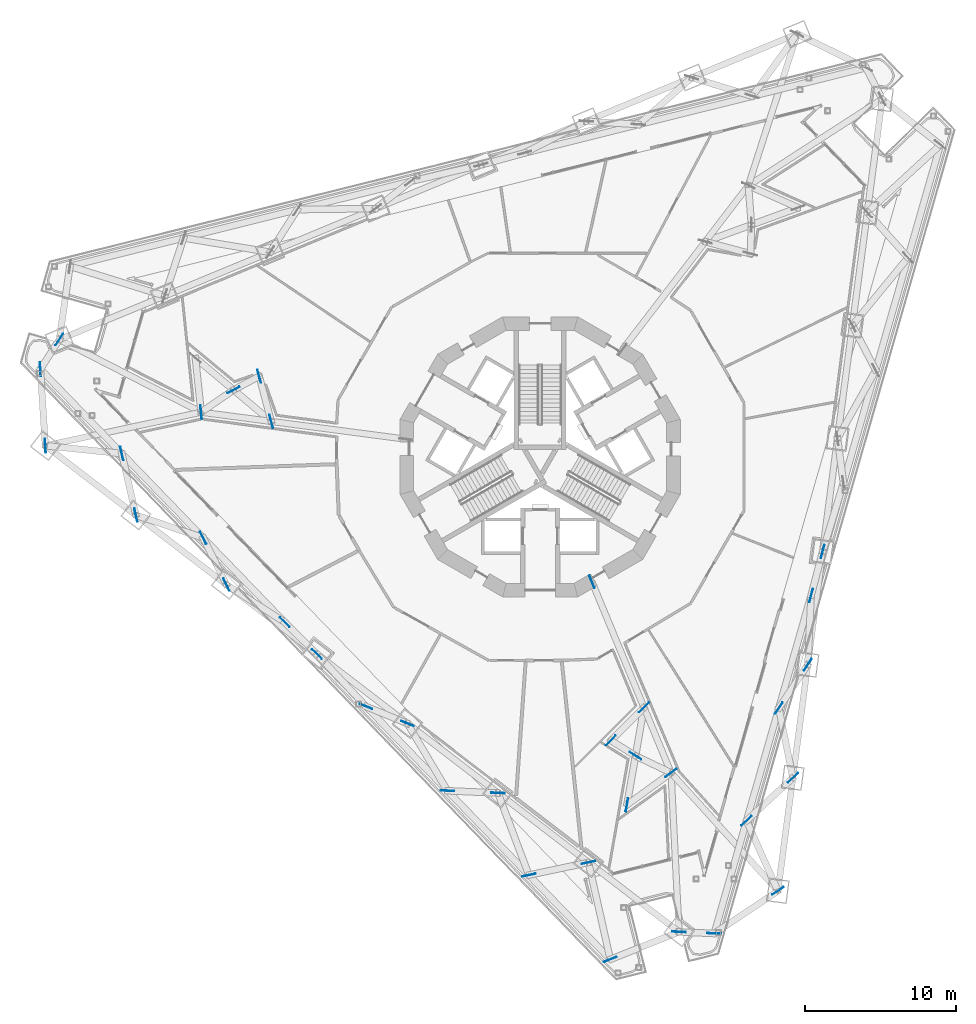
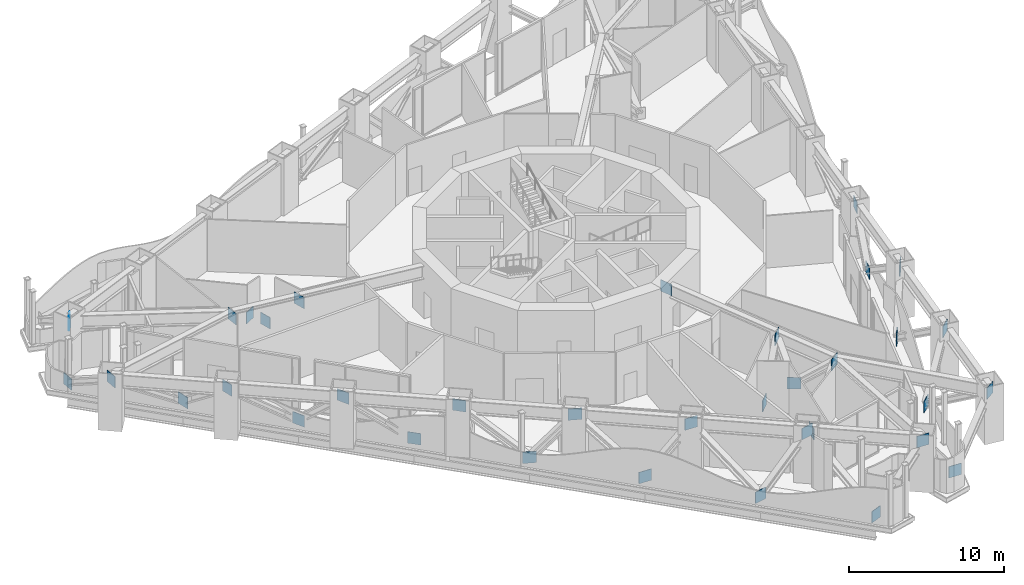
# One storey, part 16 of 26: 35 discrete accessories.
"""IFC4 building model written with IfcOpenShell, lengths in metres."""

from ifc_helpers import new_model, si_unit, direction, frame, origin, origin_2d, place, context, subcontext, project, spatial, rectangle, extrude, material, element, save


model = new_model("IFC4")

# Units and contexts
model_context = context("Model", 3, precision=1e-05, world=origin(), true_north=direction((0.0, 1.0)))
body_context = subcontext(model_context, "Body", "Model", "MODEL_VIEW")
ifc_project = project(units=[si_unit("LENGTHUNIT", "METRE"), si_unit("AREAUNIT", "SQUARE_METRE"), si_unit("VOLUMEUNIT", "CUBIC_METRE"), si_unit("PLANEANGLEUNIT", "RADIAN"), si_unit("MASSUNIT", "GRAM", prefix="KILO")], contexts=[model_context])

# Site, building, storey
site_placement = place(None, origin())
site = spatial("IfcSite", under=ifc_project, at=site_placement, CompositionType="ELEMENT")
building_placement = place(site_placement, origin())
building = spatial("IfcBuilding", under=site, at=building_placement, Name="Trine Commons Tower", CompositionType="ELEMENT")
storey_placement = place(building_placement, frame((0.0, 0.0, 119.699951171875)))
storey = spatial("IfcBuildingStorey", under=building, at=storey_placement, Name="L30", CompositionType="ELEMENT", Elevation=119.699951171875)

# Discrete accessories
ifc_material = material(Name="Structural steel ASTM A572 Gr50", Category="steel")
for number, where, z_axis, x_axis, name in (
    (1, (46.918212890625, 68.298583984375, 0.043701171875), (0.0, 0.0, 1.0), (0.065159304349, -0.997874874449, 0.0), "Gusset plate GP3-01"),
    (2, (52.30712890625, 62.71826171875, 0.043701171875), (0.0, 0.0, 1.0), (0.222977902634, -0.974823499377, 0.0), "Gusset plate GP3-03"),
    (3, (57.696044921875, 57.137939453125, 0.043701171875), (0.0, 0.0, 1.0), (0.444338125475, -0.895859157596, 0.0), "Gusset plate GP3-06"),
    (4, (61.401611328125, 67.8330078125, 0.043701171875), (0.0, 0.0, 1.0), (0.257706206957, -0.96622332351, 0.0), "Gusset plate GP3-07"),
    (5, (63.0849609375, 51.5576171875, 0.043701171875), (0.0, 0.0, 1.0), (0.711241289464, -0.702947955514, 0.0), "Gusset plate GP3-08"),
    (6, (68.473876953125, 45.977294921875, 0.043701171875), (0.0, 0.0, 1.0), (0.924506122947, -0.381167192495, 0.0), "Gusset plate GP3-10"),
    (7, (73.86279296875, 40.396728515625, 0.043701171875), (0.0, 0.0, 1.0), (0.999038298941, -0.043846063092, 0.0), "Gusset plate GP3-12"),
    (8, (79.251708984375, 34.81640625, 0.043701171875), (0.0, 0.0, 1.0), (0.978263567966, 0.207365357741, 0.0), "Gusset plate GP3-14"),
    (9, (84.640625, 29.236083984375, 0.043701171875), (0.0, 0.0, 1.0), (0.928453415388, 0.37144885981, 0.0), "Gusset plate GP3-15"),
    (10, (84.6806640625, 43.726806640625, 0.043701171875), (0.0, 0.0, 1.0), (0.70793316742, 0.706279428036, 0.0), "Gusset plate GP3-16"),
    (11, (85.742919921875, 39.4658203125, 0.043701171875), (0.0, 0.0, 1.0), (0.172376110994, 0.985031205779, 0.0), "Gusset plate GP3-17"),
    (12, (91.51904296875, 30.950927734375, 0.043701171875), (0.0, 0.0, 1.0), (-0.998998094075, 0.044752743308, 0.0), "Gusset plate GP3-19"),
    (13, (93.657470703125, 38.408203125, 0.043701171875), (0.0, 0.0, 1.0), (0.732721085988, 0.680529066351, 0.0), "Gusset plate GP3-20"),
    (14, (95.795654296875, 45.865234375, 0.043701171875), (0.0, 0.0, 1.0), (0.553682259884, 0.832728019878, 0.0), "Gusset plate GP3-23"),
    (15, (97.93408203125, 53.322509765625, 0.043701171875), (0.0, 0.0, 1.0), (0.253116372555, 0.967435838671, 0.0), "Gusset plate GP3-25"),
    (16, (59.70654296875, 66.92919921875, 1.62060546875), (0.0, 0.0, 1.0), (-0.882414426199, -0.470472932734, 0.0), "Gusset plate GP3-31"),
    (17, (86.310791015625, 42.710693359375, 1.62060546875), (0.0, 0.0, 1.0), (0.848630260046, -0.528986466494, 0.0), "Gusset plate GP3-32"),
    (18, (47.248779296875, 63.23681640625, 3.17626953125), (0.0, 0.0, 1.0), (0.065159304349, -0.997874874449, 0.0), "Gusset plate GP3-34"),
    (19, (48.174072265625, 70.264892578125, 3.17626953125), (0.0, 0.0, 1.0), (0.538256059632, 0.842781356147, 0.0), "Gusset plate GP3-35"),
    (20, (53.239990234375, 58.639404296875, 3.17626953125), (0.0, 0.0, 1.0), (0.222977902634, -0.974823499377, 0.0), "Gusset plate GP3-36"),
    (21, (57.556884765625, 65.45458984375, 3.17626953125), (0.0, 0.0, 1.0), (0.104372242845, -0.994538302391, 0.0), "Gusset plate GP3-38"),
    (22, (59.2314453125, 54.0419921875, 3.17626953125), (0.0, 0.0, 1.0), (0.444338125475, -0.895859157596, 0.0), "Gusset plate GP3-39"),
    (23, (62.198974609375, 64.843505859375, 3.17626953125), (0.0, 0.0, 1.0), (0.257706206957, -0.96622332351, 0.0), "Gusset plate GP3-41"),
    (24, (65.222900390625, 49.444580078125, 3.17626953125), (0.0, 0.0, 1.0), (0.711241289464, -0.702947955514, 0.0), "Gusset plate GP3-42"),
    (25, (71.214111328125, 44.847412109375, 3.17626953125), (0.0, 0.0, 1.0), (0.924506122947, -0.381167192495, 0.0), "Gusset plate GP3-45"),
    (26, (77.20556640625, 40.25, 3.17626953125), (0.0, 0.0, 1.0), (0.999038298941, -0.043846063092, 0.0), "Gusset plate GP3-47"),
    (27, (83.197021484375, 35.652587890625, 3.17626953125), (0.0, 0.0, 1.0), (0.978263567966, 0.207365357741, 0.0), "Gusset plate GP3-49"),
    (28, (83.426025390625, 54.228515625, 3.17626953125), (0.0, 0.0, 1.0), (0.382683432365, -0.923879532511, 0.0), "Gusset plate GP3-50"),
    (29, (86.87109375, 45.912109375, 3.17626953125), (0.0, 0.0, 1.0), (0.70793316742, 0.706279428036, 0.0), "Gusset plate GP3-52"),
    (30, (88.66259765625, 41.58642578125, 3.17626953125), (0.0, 0.0, 1.0), (0.809109313485, 0.587658164949, 0.0), "Gusset plate GP3-53"),
    (31, (89.188232421875, 31.055419921875, 3.17626953125), (0.0, 0.0, 1.0), (-0.998998094075, 0.044752743308, 0.0), "Gusset plate GP3-54"),
    (32, (95.737548828125, 33.768310546875, 3.17626953125), (0.0, 0.0, 1.0), (0.831605338897, 0.555367050083, 0.0), "Gusset plate GP3-58"),
    (33, (96.723388671875, 41.255615234375, 3.17626953125), (0.0, 0.0, 1.0), (0.732721085988, 0.680529066351, 0.0), "Gusset plate GP3-59"),
    (34, (97.708984375, 48.742919921875, 3.17626953125), (0.0, 0.0, 1.0), (0.553682259884, 0.832728019878, 0.0), "Gusset plate GP3-61"),
    (35, (98.69482421875, 56.230224609375, 3.17626953125), (0.0, 0.0, 1.0), (0.253116372555, 0.967435838671, 0.0), "Gusset plate GP3-62"),
):
    element("IfcDiscreteAccessory", number, at=place(storey_placement, frame(where, z_axis=z_axis, x_axis=x_axis)), inside=storey, material=ifc_material, Name=name, PredefinedType="BRACKET", context=body_context, shape_type="SweptSolid", body=[
        extrude(rectangle(XDim=0.89990234375, YDim=0.0400390625, at=origin_2d()), origin(), (0.0, 0.0, 1.0), 0.89990234375),
    ])

save(model, "model.ifc")
